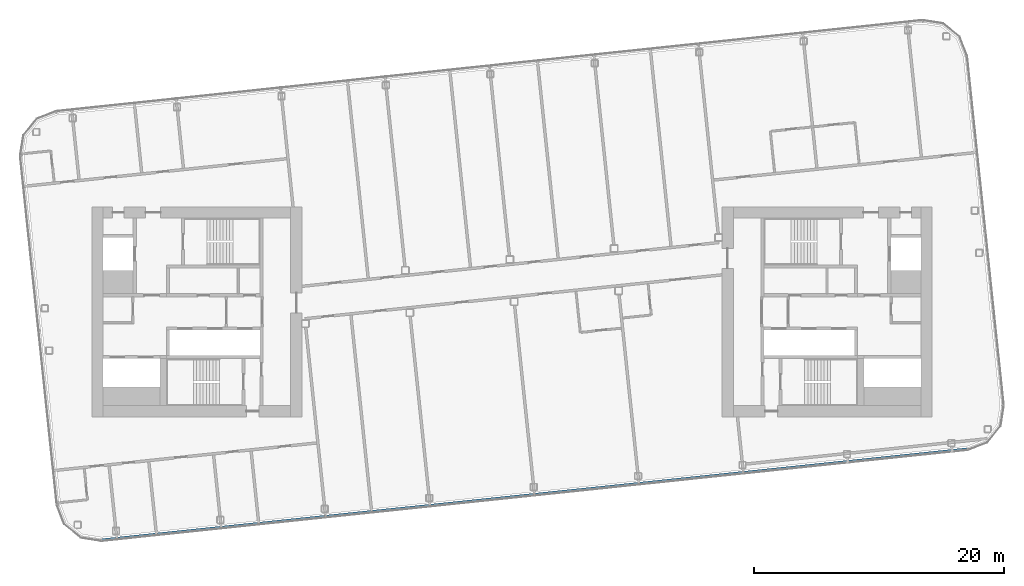
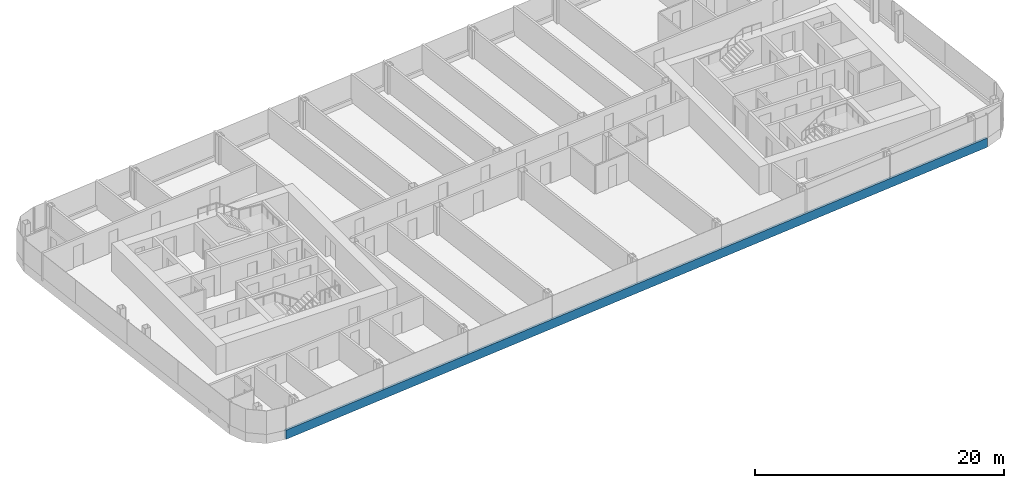
# One storey, part 6 of 27: 1 member, 1 element without a shape of its own.
"""IFC4 building model written with IfcOpenShell, lengths in metres."""

from ifc_helpers import new_model, si_unit, direction, frame, origin, origin_2d, place, context, subcontext, project, spatial, rectangle, extrude, material, layer, layer_set, material_profile, profile_set, type_object, element, aggregate, save


model = new_model("IFC4")

# Units and contexts
model_context = context("Model", 3, precision=1e-05, world=origin(), true_north=direction((0.0, 1.0)))
body_context = subcontext(model_context, "Body", "Model", "MODEL_VIEW")
ifc_project = project(units=[si_unit("LENGTHUNIT", "METRE"), si_unit("AREAUNIT", "SQUARE_METRE"), si_unit("VOLUMEUNIT", "CUBIC_METRE"), si_unit("PLANEANGLEUNIT", "RADIAN"), si_unit("MASSUNIT", "GRAM", prefix="KILO")], contexts=[model_context])

# Site, building, storey
site_placement = place(None, origin())
site = spatial("IfcSite", under=ifc_project, at=site_placement, CompositionType="ELEMENT")
building_placement = place(site_placement, origin())
building = spatial("IfcBuilding", under=site, at=building_placement, Name="Hakoniwa Tower and Hamabe Station Hall", CompositionType="ELEMENT")
storey_placement = place(building_placement, frame((0.0, 0.0, 239.0)))
storey = spatial("IfcBuildingStorey", under=building, at=storey_placement, Name="L67", CompositionType="ELEMENT", Elevation=239.0)

# Curtain wall, member
ifc_material_1 = material(Name="Dark low-e laminated glass", Category="glass")
ifc_layer = layer(ifc_material_1, 0.199951171875)
ifc_layer_set = layer_set([ifc_layer], Name="CW-1 UNITISED GUEST")
curtain_wall_type = type_object("IfcCurtainWallType", Name="CW-1 UNITISED GUEST", PredefinedType="NOTDEFINED", material=ifc_layer_set)
curtain_wall_placement = place(storey_placement, origin())
curtain_wall = element("IfcCurtainWall", 1, at=curtain_wall_placement, inside=storey, type_object=curtain_wall_type, Name="CW-1 curtain wall", PredefinedType="NOTDEFINED")
ifc_material_2 = material(Name="Aluminium 6063-T5 black anodised", Category="aluminium")
ifc_material_profile = material_profile(ifc_material_2, rectangle(XDim=0.199951171875, YDim=0.89990234375, at=origin_2d()), Name="CW SLAB-EDGE BAND 900X200")
ifc_profile_set = profile_set([ifc_material_profile], Name="Aluminium 6063-T5 black anodised")
member_type = type_object("IfcMemberType", Name="CW SLAB-EDGE BAND 900X200", PredefinedType="USERDEFINED", material=ifc_profile_set)
member_placement = place(storey_placement, frame((-32.850830078125, -18.24755859375, -0.10009765625), z_axis=(0.994521894037, 0.10452847593, 0.0), x_axis=(-0.10452847593, 0.994521894037, 0.0)))
member = element("IfcMember", 2, at=member_placement, type_object=member_type, Name="CW-1 transom", ObjectType="TRANSOM", PredefinedType="USERDEFINED", context=body_context, shape_type="SweptSolid", body=[
    extrude(rectangle(XDim=0.199951171875, YDim=0.89990234375, at=origin_2d()), origin(), (0.0, 0.0, 1.0), 69.678955078125),
])
aggregate(curtain_wall, [member])

save(model, "model.ifc")
